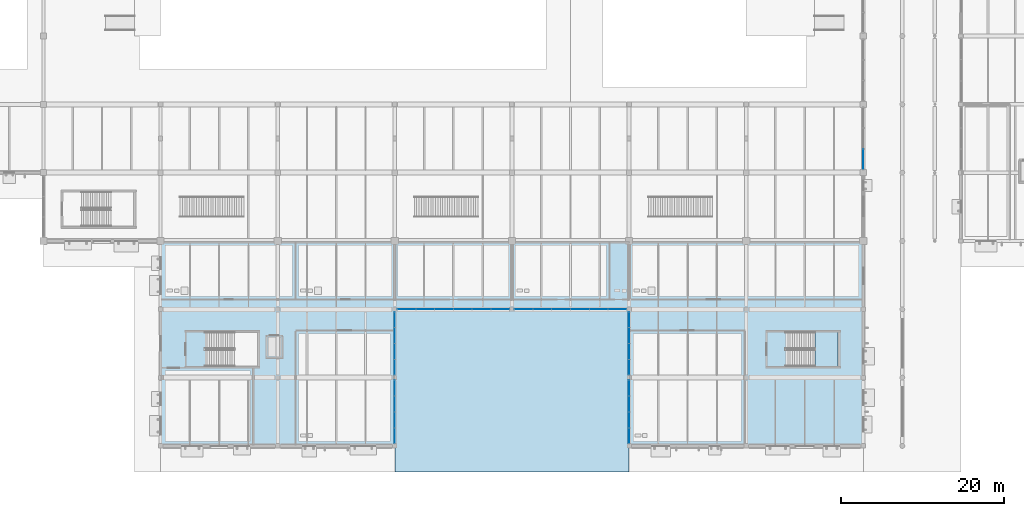
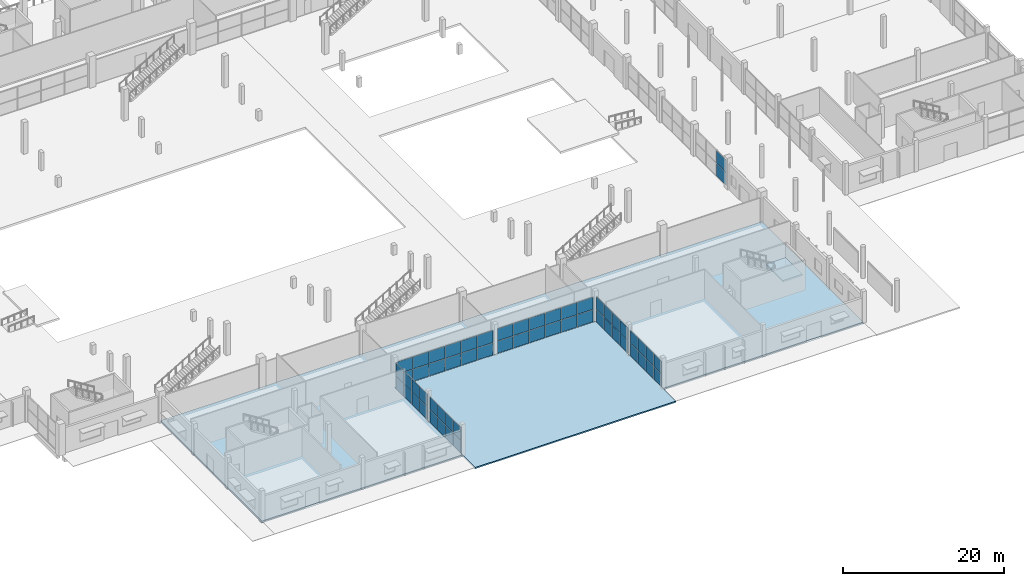
# One storey, part 83 of 130: 58 plates, 3 slabs, 8 elements without a shape of their own.
"""IFC4 building model written with IfcOpenShell, lengths in metres."""

from ifc_helpers import new_model, si_unit, direction, frame, origin, origin_2d, place, context, subcontext, project, spatial, polyline, rectangle, outline, extrude, material, layer, layer_set, type_object, element, aggregate, save


model = new_model("IFC4")

# Units and contexts
model_context = context("Model", 3, precision=1e-05, world=origin(), true_north=direction((0.0, 1.0)))
body_context = subcontext(model_context, "Body", "Model", "MODEL_VIEW")
ifc_project = project(units=[si_unit("LENGTHUNIT", "METRE"), si_unit("AREAUNIT", "SQUARE_METRE"), si_unit("VOLUMEUNIT", "CUBIC_METRE"), si_unit("PLANEANGLEUNIT", "RADIAN"), si_unit("MASSUNIT", "GRAM", prefix="KILO"), si_unit("THERMODYNAMICTEMPERATUREUNIT", "KELVIN")], contexts=[model_context])

# Site, building, storey
site_placement = place(None, origin())
site = spatial("IfcSite", under=ifc_project, at=site_placement, CompositionType="ELEMENT")
building_placement = place(site_placement, origin())
building = spatial("IfcBuilding", under=site, at=building_placement, Name="Nduvali Passage Aquatics Centre", CompositionType="ELEMENT")
storey_placement = place(building_placement, origin())
storey = spatial("IfcBuildingStorey", under=building, at=storey_placement, Name="L00", CompositionType="ELEMENT", Elevation=0.0)

# Curtain wall, plates
ifc_material_1 = material(Name="Aluminium EN AW-6063 T6", Category="aluminium")
curtain_wall_type_1 = type_object("IfcCurtainWallType", Name="ENV-CW-COUR", PredefinedType="NOTDEFINED", material=ifc_material_1)
curtain_wall_1_placement = place(storey_placement, origin())
curtain_wall_1 = element("IfcCurtainWall", 1, at=curtain_wall_1_placement, inside=storey, type_object=curtain_wall_type_1, Name="L00 Monsoon Courtyard Cloister CW 163", PredefinedType="NOTDEFINED")
ifc_material_2 = material(Name="Laminated solar-control low-E IGU")
ifc_layer_1 = layer(ifc_material_2, 0.028076171875, Name="Laminated solar-control low-E IGU")
ifc_layer_set_1 = layer_set([ifc_layer_1], Name="Laminated solar-control low-E IGU")
plate_type_1 = type_object("IfcPlateType", Name="ENV-PLT-GLZ28", PredefinedType="CURTAIN_PANEL", material=ifc_layer_set_1)
plate_1_placement = place(storey_placement, frame((69.84423828125, 16.800048828125, 0.06005859375), z_axis=(0.0, 0.0, 1.0), x_axis=(1.0, 0.0, 0.0)))
plate_1 = element("IfcPlate", 2, at=plate_1_placement, type_object=plate_type_1, Name="Monsoon Courtyard Cloister CW Glazed Panel B1-R1", PredefinedType="CURTAIN_PANEL", context=body_context, shape_type="SweptSolid", body=[
    extrude(rectangle(XDim=2.21826171875, YDim=0.028076171875, at=origin_2d()), origin(), (0.0, 0.0, 1.0), 1.826171875),
])
plate_2_placement = place(storey_placement, frame((69.84423828125, 16.800048828125, 1.9462890625), z_axis=(0.0, 0.0, 1.0), x_axis=(1.0, 0.0, 0.0)))
plate_2 = element("IfcPlate", 3, at=plate_2_placement, type_object=plate_type_1, Name="Monsoon Courtyard Cloister CW Glazed Panel B1-R2", PredefinedType="CURTAIN_PANEL", context=body_context, shape_type="SweptSolid", body=[
    extrude(rectangle(XDim=2.21826171875, YDim=0.028076171875, at=origin_2d()), origin(), (0.0, 0.0, 1.0), 1.826171875),
])
plate_3_placement = place(storey_placement, frame((72.137451171875, 16.800048828125, 0.06005859375), z_axis=(0.0, 0.0, 1.0), x_axis=(1.0, 0.0, 0.0)))
plate_3 = element("IfcPlate", 4, at=plate_3_placement, type_object=plate_type_1, Name="Monsoon Courtyard Cloister CW Glazed Panel B2-R1", PredefinedType="CURTAIN_PANEL", context=body_context, shape_type="SweptSolid", body=[
    extrude(rectangle(XDim=2.248291015625, YDim=0.028076171875, at=origin_2d()), origin(), (0.0, 0.0, 1.0), 1.826171875),
])
plate_4_placement = place(storey_placement, frame((72.137451171875, 16.800048828125, 1.9462890625), z_axis=(0.0, 0.0, 1.0), x_axis=(1.0, 0.0, 0.0)))
plate_4 = element("IfcPlate", 5, at=plate_4_placement, type_object=plate_type_1, Name="Monsoon Courtyard Cloister CW Glazed Panel B2-R2", PredefinedType="CURTAIN_PANEL", context=body_context, shape_type="SweptSolid", body=[
    extrude(rectangle(XDim=2.248291015625, YDim=0.028076171875, at=origin_2d()), origin(), (0.0, 0.0, 1.0), 1.826171875),
])
plate_5_placement = place(storey_placement, frame((74.44580078125, 16.800048828125, 0.06005859375), z_axis=(0.0, 0.0, 1.0), x_axis=(1.0, 0.0, 0.0)))
plate_5 = element("IfcPlate", 6, at=plate_5_placement, type_object=plate_type_1, Name="Monsoon Courtyard Cloister CW Glazed Panel B3-R1", PredefinedType="CURTAIN_PANEL", context=body_context, shape_type="SweptSolid", body=[
    extrude(rectangle(XDim=2.248291015625, YDim=0.028076171875, at=origin_2d()), origin(), (0.0, 0.0, 1.0), 1.826171875),
])
plate_6_placement = place(storey_placement, frame((74.44580078125, 16.800048828125, 1.9462890625), z_axis=(0.0, 0.0, 1.0), x_axis=(1.0, 0.0, 0.0)))
plate_6 = element("IfcPlate", 7, at=plate_6_placement, type_object=plate_type_1, Name="Monsoon Courtyard Cloister CW Glazed Panel B3-R2", PredefinedType="CURTAIN_PANEL", context=body_context, shape_type="SweptSolid", body=[
    extrude(rectangle(XDim=2.248291015625, YDim=0.028076171875, at=origin_2d()), origin(), (0.0, 0.0, 1.0), 1.826171875),
])
plate_7_placement = place(storey_placement, frame((76.754150390625, 16.800048828125, 0.06005859375), z_axis=(0.0, 0.0, 1.0), x_axis=(1.0, 0.0, 0.0)))
plate_7 = element("IfcPlate", 8, at=plate_7_placement, type_object=plate_type_1, Name="Monsoon Courtyard Cloister CW Glazed Panel B4-R1", PredefinedType="CURTAIN_PANEL", context=body_context, shape_type="SweptSolid", body=[
    extrude(rectangle(XDim=2.248291015625, YDim=0.028076171875, at=origin_2d()), origin(), (0.0, 0.0, 1.0), 1.826171875),
])
plate_8_placement = place(storey_placement, frame((76.754150390625, 16.800048828125, 1.9462890625), z_axis=(0.0, 0.0, 1.0), x_axis=(1.0, 0.0, 0.0)))
plate_8 = element("IfcPlate", 9, at=plate_8_placement, type_object=plate_type_1, Name="Monsoon Courtyard Cloister CW Glazed Panel B4-R2", PredefinedType="CURTAIN_PANEL", context=body_context, shape_type="SweptSolid", body=[
    extrude(rectangle(XDim=2.248291015625, YDim=0.028076171875, at=origin_2d()), origin(), (0.0, 0.0, 1.0), 1.826171875),
])
plate_9_placement = place(storey_placement, frame((79.0625, 16.800048828125, 0.06005859375), z_axis=(0.0, 0.0, 1.0), x_axis=(1.0, 0.0, 0.0)))
plate_9 = element("IfcPlate", 10, at=plate_9_placement, type_object=plate_type_1, Name="Monsoon Courtyard Cloister CW Glazed Panel B5-R1", PredefinedType="CURTAIN_PANEL", context=body_context, shape_type="SweptSolid", body=[
    extrude(rectangle(XDim=2.248291015625, YDim=0.028076171875, at=origin_2d()), origin(), (0.0, 0.0, 1.0), 1.826171875),
])
plate_10_placement = place(storey_placement, frame((79.0625, 16.800048828125, 1.9462890625), z_axis=(0.0, 0.0, 1.0), x_axis=(1.0, 0.0, 0.0)))
plate_10 = element("IfcPlate", 11, at=plate_10_placement, type_object=plate_type_1, Name="Monsoon Courtyard Cloister CW Glazed Panel B5-R2", PredefinedType="CURTAIN_PANEL", context=body_context, shape_type="SweptSolid", body=[
    extrude(rectangle(XDim=2.248291015625, YDim=0.028076171875, at=origin_2d()), origin(), (0.0, 0.0, 1.0), 1.826171875),
])
plate_11_placement = place(storey_placement, frame((81.355712890625, 16.800048828125, 0.06005859375), z_axis=(0.0, 0.0, 1.0), x_axis=(1.0, 0.0, 0.0)))
plate_11 = element("IfcPlate", 12, at=plate_11_placement, type_object=plate_type_1, Name="Monsoon Courtyard Cloister CW Glazed Panel B6-R1", PredefinedType="CURTAIN_PANEL", context=body_context, shape_type="SweptSolid", body=[
    extrude(rectangle(XDim=2.21826171875, YDim=0.028076171875, at=origin_2d()), origin(), (0.0, 0.0, 1.0), 1.826171875),
])
plate_12_placement = place(storey_placement, frame((81.355712890625, 16.800048828125, 1.9462890625), z_axis=(0.0, 0.0, 1.0), x_axis=(1.0, 0.0, 0.0)))
plate_12 = element("IfcPlate", 13, at=plate_12_placement, type_object=plate_type_1, Name="Monsoon Courtyard Cloister CW Glazed Panel B6-R2", PredefinedType="CURTAIN_PANEL", context=body_context, shape_type="SweptSolid", body=[
    extrude(rectangle(XDim=2.21826171875, YDim=0.028076171875, at=origin_2d()), origin(), (0.0, 0.0, 1.0), 1.826171875),
])
aggregate(curtain_wall_1, [plate_1, plate_2, plate_3, plate_4, plate_5, plate_6, plate_7, plate_8, plate_9, plate_10, plate_11, plate_12])

curtain_wall_2_placement = place(storey_placement, origin())
curtain_wall_2 = element("IfcCurtainWall", 14, at=curtain_wall_2_placement, inside=storey, type_object=curtain_wall_type_1, Name="L00 Monsoon Courtyard Cloister CW 165", PredefinedType="NOTDEFINED")
plate_13_placement = place(storey_placement, frame((84.244140625, 16.800048828125, 0.06005859375), z_axis=(0.0, 0.0, 1.0), x_axis=(1.0, 0.0, 0.0)))
plate_13 = element("IfcPlate", 15, at=plate_13_placement, type_object=plate_type_1, Name="Monsoon Courtyard Cloister CW Glazed Panel B1-R1", PredefinedType="CURTAIN_PANEL", context=body_context, shape_type="SweptSolid", body=[
    extrude(rectangle(XDim=2.21826171875, YDim=0.028076171875, at=origin_2d()), origin(), (0.0, 0.0, 1.0), 1.826171875),
])
plate_14_placement = place(storey_placement, frame((84.244140625, 16.800048828125, 1.9462890625), z_axis=(0.0, 0.0, 1.0), x_axis=(1.0, 0.0, 0.0)))
plate_14 = element("IfcPlate", 16, at=plate_14_placement, type_object=plate_type_1, Name="Monsoon Courtyard Cloister CW Glazed Panel B1-R2", PredefinedType="CURTAIN_PANEL", context=body_context, shape_type="SweptSolid", body=[
    extrude(rectangle(XDim=2.21826171875, YDim=0.028076171875, at=origin_2d()), origin(), (0.0, 0.0, 1.0), 1.826171875),
])
plate_15_placement = place(storey_placement, frame((86.53759765625, 16.800048828125, 0.06005859375), z_axis=(0.0, 0.0, 1.0), x_axis=(1.0, 0.0, 0.0)))
plate_15 = element("IfcPlate", 17, at=plate_15_placement, type_object=plate_type_1, Name="Monsoon Courtyard Cloister CW Glazed Panel B2-R1", PredefinedType="CURTAIN_PANEL", context=body_context, shape_type="SweptSolid", body=[
    extrude(rectangle(XDim=2.248291015625, YDim=0.028076171875, at=origin_2d()), origin(), (0.0, 0.0, 1.0), 1.826171875),
])
plate_16_placement = place(storey_placement, frame((86.53759765625, 16.800048828125, 1.9462890625), z_axis=(0.0, 0.0, 1.0), x_axis=(1.0, 0.0, 0.0)))
plate_16 = element("IfcPlate", 18, at=plate_16_placement, type_object=plate_type_1, Name="Monsoon Courtyard Cloister CW Glazed Panel B2-R2", PredefinedType="CURTAIN_PANEL", context=body_context, shape_type="SweptSolid", body=[
    extrude(rectangle(XDim=2.248291015625, YDim=0.028076171875, at=origin_2d()), origin(), (0.0, 0.0, 1.0), 1.826171875),
])
plate_17_placement = place(storey_placement, frame((88.845703125, 16.800048828125, 0.06005859375), z_axis=(0.0, 0.0, 1.0), x_axis=(1.0, 0.0, 0.0)))
plate_17 = element("IfcPlate", 19, at=plate_17_placement, type_object=plate_type_1, Name="Monsoon Courtyard Cloister CW Glazed Panel B3-R1", PredefinedType="CURTAIN_PANEL", context=body_context, shape_type="SweptSolid", body=[
    extrude(rectangle(XDim=2.248291015625, YDim=0.028076171875, at=origin_2d()), origin(), (0.0, 0.0, 1.0), 1.826171875),
])
plate_18_placement = place(storey_placement, frame((88.845703125, 16.800048828125, 1.9462890625), z_axis=(0.0, 0.0, 1.0), x_axis=(1.0, 0.0, 0.0)))
plate_18 = element("IfcPlate", 20, at=plate_18_placement, type_object=plate_type_1, Name="Monsoon Courtyard Cloister CW Glazed Panel B3-R2", PredefinedType="CURTAIN_PANEL", context=body_context, shape_type="SweptSolid", body=[
    extrude(rectangle(XDim=2.248291015625, YDim=0.028076171875, at=origin_2d()), origin(), (0.0, 0.0, 1.0), 1.826171875),
])
plate_19_placement = place(storey_placement, frame((91.154296875, 16.800048828125, 0.06005859375), z_axis=(0.0, 0.0, 1.0), x_axis=(1.0, 0.0, 0.0)))
plate_19 = element("IfcPlate", 21, at=plate_19_placement, type_object=plate_type_1, Name="Monsoon Courtyard Cloister CW Glazed Panel B4-R1", PredefinedType="CURTAIN_PANEL", context=body_context, shape_type="SweptSolid", body=[
    extrude(rectangle(XDim=2.248291015625, YDim=0.028076171875, at=origin_2d()), origin(), (0.0, 0.0, 1.0), 1.826171875),
])
plate_20_placement = place(storey_placement, frame((91.154296875, 16.800048828125, 1.9462890625), z_axis=(0.0, 0.0, 1.0), x_axis=(1.0, 0.0, 0.0)))
plate_20 = element("IfcPlate", 22, at=plate_20_placement, type_object=plate_type_1, Name="Monsoon Courtyard Cloister CW Glazed Panel B4-R2", PredefinedType="CURTAIN_PANEL", context=body_context, shape_type="SweptSolid", body=[
    extrude(rectangle(XDim=2.248291015625, YDim=0.028076171875, at=origin_2d()), origin(), (0.0, 0.0, 1.0), 1.826171875),
])
plate_21_placement = place(storey_placement, frame((93.46240234375, 16.800048828125, 0.06005859375), z_axis=(0.0, 0.0, 1.0), x_axis=(1.0, 0.0, 0.0)))
plate_21 = element("IfcPlate", 23, at=plate_21_placement, type_object=plate_type_1, Name="Monsoon Courtyard Cloister CW Glazed Panel B5-R1", PredefinedType="CURTAIN_PANEL", context=body_context, shape_type="SweptSolid", body=[
    extrude(rectangle(XDim=2.248291015625, YDim=0.028076171875, at=origin_2d()), origin(), (0.0, 0.0, 1.0), 1.826171875),
])
plate_22_placement = place(storey_placement, frame((93.46240234375, 16.800048828125, 1.9462890625), z_axis=(0.0, 0.0, 1.0), x_axis=(1.0, 0.0, 0.0)))
plate_22 = element("IfcPlate", 24, at=plate_22_placement, type_object=plate_type_1, Name="Monsoon Courtyard Cloister CW Glazed Panel B5-R2", PredefinedType="CURTAIN_PANEL", context=body_context, shape_type="SweptSolid", body=[
    extrude(rectangle(XDim=2.248291015625, YDim=0.028076171875, at=origin_2d()), origin(), (0.0, 0.0, 1.0), 1.826171875),
])
plate_23_placement = place(storey_placement, frame((95.755859375, 16.800048828125, 0.06005859375), z_axis=(0.0, 0.0, 1.0), x_axis=(1.0, 0.0, 0.0)))
plate_23 = element("IfcPlate", 25, at=plate_23_placement, type_object=plate_type_1, Name="Monsoon Courtyard Cloister CW Glazed Panel B6-R1", PredefinedType="CURTAIN_PANEL", context=body_context, shape_type="SweptSolid", body=[
    extrude(rectangle(XDim=2.21826171875, YDim=0.028076171875, at=origin_2d()), origin(), (0.0, 0.0, 1.0), 1.826171875),
])
plate_24_placement = place(storey_placement, frame((95.755859375, 16.800048828125, 1.9462890625), z_axis=(0.0, 0.0, 1.0), x_axis=(1.0, 0.0, 0.0)))
plate_24 = element("IfcPlate", 26, at=plate_24_placement, type_object=plate_type_1, Name="Monsoon Courtyard Cloister CW Glazed Panel B6-R2", PredefinedType="CURTAIN_PANEL", context=body_context, shape_type="SweptSolid", body=[
    extrude(rectangle(XDim=2.21826171875, YDim=0.028076171875, at=origin_2d()), origin(), (0.0, 0.0, 1.0), 1.826171875),
])
aggregate(curtain_wall_2, [plate_13, plate_14, plate_15, plate_16, plate_17, plate_18, plate_19, plate_20, plate_21, plate_22, plate_23, plate_24])

curtain_wall_3_placement = place(storey_placement, origin())
curtain_wall_3 = element("IfcCurtainWall", 27, at=curtain_wall_3_placement, inside=storey, type_object=curtain_wall_type_1, Name="L00 Courtyard West Cloister CW 167", PredefinedType="NOTDEFINED")
plate_25_placement = place(storey_placement, frame((68.39990234375, 1.271240234375, 0.06005859375), z_axis=(0.0, 0.0, 1.0), x_axis=(0.0, 1.0, 0.0)))
plate_25 = element("IfcPlate", 28, at=plate_25_placement, type_object=plate_type_1, Name="Courtyard West Cloister CW Glazed Panel B1-R1", PredefinedType="CURTAIN_PANEL", context=body_context, shape_type="SweptSolid", body=[
    extrude(rectangle(XDim=1.87255859375, YDim=0.028076171875, at=origin_2d()), origin(), (0.0, 0.0, 1.0), 1.898193359375),
])
plate_26_placement = place(storey_placement, frame((68.39990234375, 1.271240234375, 2.01806640625), z_axis=(0.0, 0.0, 1.0), x_axis=(0.0, 1.0, 0.0)))
plate_26 = element("IfcPlate", 29, at=plate_26_placement, type_object=plate_type_1, Name="Courtyard West Cloister CW Glazed Panel B1-R2", PredefinedType="CURTAIN_PANEL", context=body_context, shape_type="SweptSolid", body=[
    extrude(rectangle(XDim=1.87255859375, YDim=0.028076171875, at=origin_2d()), origin(), (0.0, 0.0, 1.0), 1.898193359375),
])
plate_27_placement = place(storey_placement, frame((68.39990234375, 3.21875, 0.06005859375), z_axis=(0.0, 0.0, 1.0), x_axis=(0.0, 1.0, 0.0)))
plate_27 = element("IfcPlate", 30, at=plate_27_placement, type_object=plate_type_1, Name="Courtyard West Cloister CW Glazed Panel B2-R1", PredefinedType="CURTAIN_PANEL", context=body_context, shape_type="SweptSolid", body=[
    extrude(rectangle(XDim=1.902587890625, YDim=0.028076171875, at=origin_2d()), origin(), (0.0, 0.0, 1.0), 1.898193359375),
])
plate_28_placement = place(storey_placement, frame((68.39990234375, 3.21875, 2.01806640625), z_axis=(0.0, 0.0, 1.0), x_axis=(0.0, 1.0, 0.0)))
plate_28 = element("IfcPlate", 31, at=plate_28_placement, type_object=plate_type_1, Name="Courtyard West Cloister CW Glazed Panel B2-R2", PredefinedType="CURTAIN_PANEL", context=body_context, shape_type="SweptSolid", body=[
    extrude(rectangle(XDim=1.902587890625, YDim=0.028076171875, at=origin_2d()), origin(), (0.0, 0.0, 1.0), 1.898193359375),
])
plate_29_placement = place(storey_placement, frame((68.39990234375, 5.18115234375, 0.06005859375), z_axis=(0.0, 0.0, 1.0), x_axis=(0.0, 1.0, 0.0)))
plate_29 = element("IfcPlate", 32, at=plate_29_placement, type_object=plate_type_1, Name="Courtyard West Cloister CW Glazed Panel B3-R1", PredefinedType="CURTAIN_PANEL", context=body_context, shape_type="SweptSolid", body=[
    extrude(rectangle(XDim=1.902587890625, YDim=0.028076171875, at=origin_2d()), origin(), (0.0, 0.0, 1.0), 1.898193359375),
])
plate_30_placement = place(storey_placement, frame((68.39990234375, 5.18115234375, 2.01806640625), z_axis=(0.0, 0.0, 1.0), x_axis=(0.0, 1.0, 0.0)))
plate_30 = element("IfcPlate", 33, at=plate_30_placement, type_object=plate_type_1, Name="Courtyard West Cloister CW Glazed Panel B3-R2", PredefinedType="CURTAIN_PANEL", context=body_context, shape_type="SweptSolid", body=[
    extrude(rectangle(XDim=1.902587890625, YDim=0.028076171875, at=origin_2d()), origin(), (0.0, 0.0, 1.0), 1.898193359375),
])
plate_31_placement = place(storey_placement, frame((68.39990234375, 7.12890625, 0.06005859375), z_axis=(0.0, 0.0, 1.0), x_axis=(0.0, 1.0, 0.0)))
plate_31 = element("IfcPlate", 34, at=plate_31_placement, type_object=plate_type_1, Name="Courtyard West Cloister CW Glazed Panel B4-R1", PredefinedType="CURTAIN_PANEL", context=body_context, shape_type="SweptSolid", body=[
    extrude(rectangle(XDim=1.87255859375, YDim=0.028076171875, at=origin_2d()), origin(), (0.0, 0.0, 1.0), 1.898193359375),
])
plate_32_placement = place(storey_placement, frame((68.39990234375, 7.12890625, 2.01806640625), z_axis=(0.0, 0.0, 1.0), x_axis=(0.0, 1.0, 0.0)))
plate_32 = element("IfcPlate", 35, at=plate_32_placement, type_object=plate_type_1, Name="Courtyard West Cloister CW Glazed Panel B4-R2", PredefinedType="CURTAIN_PANEL", context=body_context, shape_type="SweptSolid", body=[
    extrude(rectangle(XDim=1.87255859375, YDim=0.028076171875, at=origin_2d()), origin(), (0.0, 0.0, 1.0), 1.898193359375),
])
aggregate(curtain_wall_3, [plate_25, plate_26, plate_27, plate_28, plate_29, plate_30, plate_31, plate_32])

curtain_wall_4_placement = place(storey_placement, origin())
curtain_wall_4 = element("IfcCurtainWall", 36, at=curtain_wall_4_placement, inside=storey, type_object=curtain_wall_type_1, Name="L00 Courtyard East Cloister CW 168", PredefinedType="NOTDEFINED")
plate_33_placement = place(storey_placement, frame((97.199951171875, 1.271240234375, 0.06005859375), z_axis=(0.0, 0.0, 1.0), x_axis=(0.0, 1.0, 0.0)))
plate_33 = element("IfcPlate", 37, at=plate_33_placement, type_object=plate_type_1, Name="Courtyard East Cloister CW Glazed Panel B1-R1", PredefinedType="CURTAIN_PANEL", context=body_context, shape_type="SweptSolid", body=[
    extrude(rectangle(XDim=1.87255859375, YDim=0.028076171875, at=origin_2d()), origin(), (0.0, 0.0, 1.0), 1.898193359375),
])
plate_34_placement = place(storey_placement, frame((97.199951171875, 1.271240234375, 2.01806640625), z_axis=(0.0, 0.0, 1.0), x_axis=(0.0, 1.0, 0.0)))
plate_34 = element("IfcPlate", 38, at=plate_34_placement, type_object=plate_type_1, Name="Courtyard East Cloister CW Glazed Panel B1-R2", PredefinedType="CURTAIN_PANEL", context=body_context, shape_type="SweptSolid", body=[
    extrude(rectangle(XDim=1.87255859375, YDim=0.028076171875, at=origin_2d()), origin(), (0.0, 0.0, 1.0), 1.898193359375),
])
plate_35_placement = place(storey_placement, frame((97.199951171875, 3.21875, 0.06005859375), z_axis=(0.0, 0.0, 1.0), x_axis=(0.0, 1.0, 0.0)))
plate_35 = element("IfcPlate", 39, at=plate_35_placement, type_object=plate_type_1, Name="Courtyard East Cloister CW Glazed Panel B2-R1", PredefinedType="CURTAIN_PANEL", context=body_context, shape_type="SweptSolid", body=[
    extrude(rectangle(XDim=1.902587890625, YDim=0.028076171875, at=origin_2d()), origin(), (0.0, 0.0, 1.0), 1.898193359375),
])
plate_36_placement = place(storey_placement, frame((97.199951171875, 3.21875, 2.01806640625), z_axis=(0.0, 0.0, 1.0), x_axis=(0.0, 1.0, 0.0)))
plate_36 = element("IfcPlate", 40, at=plate_36_placement, type_object=plate_type_1, Name="Courtyard East Cloister CW Glazed Panel B2-R2", PredefinedType="CURTAIN_PANEL", context=body_context, shape_type="SweptSolid", body=[
    extrude(rectangle(XDim=1.902587890625, YDim=0.028076171875, at=origin_2d()), origin(), (0.0, 0.0, 1.0), 1.898193359375),
])
plate_37_placement = place(storey_placement, frame((97.199951171875, 5.18115234375, 0.06005859375), z_axis=(0.0, 0.0, 1.0), x_axis=(0.0, 1.0, 0.0)))
plate_37 = element("IfcPlate", 41, at=plate_37_placement, type_object=plate_type_1, Name="Courtyard East Cloister CW Glazed Panel B3-R1", PredefinedType="CURTAIN_PANEL", context=body_context, shape_type="SweptSolid", body=[
    extrude(rectangle(XDim=1.902587890625, YDim=0.028076171875, at=origin_2d()), origin(), (0.0, 0.0, 1.0), 1.898193359375),
])
plate_38_placement = place(storey_placement, frame((97.199951171875, 5.18115234375, 2.01806640625), z_axis=(0.0, 0.0, 1.0), x_axis=(0.0, 1.0, 0.0)))
plate_38 = element("IfcPlate", 42, at=plate_38_placement, type_object=plate_type_1, Name="Courtyard East Cloister CW Glazed Panel B3-R2", PredefinedType="CURTAIN_PANEL", context=body_context, shape_type="SweptSolid", body=[
    extrude(rectangle(XDim=1.902587890625, YDim=0.028076171875, at=origin_2d()), origin(), (0.0, 0.0, 1.0), 1.898193359375),
])
plate_39_placement = place(storey_placement, frame((97.199951171875, 7.12890625, 0.06005859375), z_axis=(0.0, 0.0, 1.0), x_axis=(0.0, 1.0, 0.0)))
plate_39 = element("IfcPlate", 43, at=plate_39_placement, type_object=plate_type_1, Name="Courtyard East Cloister CW Glazed Panel B4-R1", PredefinedType="CURTAIN_PANEL", context=body_context, shape_type="SweptSolid", body=[
    extrude(rectangle(XDim=1.87255859375, YDim=0.028076171875, at=origin_2d()), origin(), (0.0, 0.0, 1.0), 1.898193359375),
])
plate_40_placement = place(storey_placement, frame((97.199951171875, 7.12890625, 2.01806640625), z_axis=(0.0, 0.0, 1.0), x_axis=(0.0, 1.0, 0.0)))
plate_40 = element("IfcPlate", 44, at=plate_40_placement, type_object=plate_type_1, Name="Courtyard East Cloister CW Glazed Panel B4-R2", PredefinedType="CURTAIN_PANEL", context=body_context, shape_type="SweptSolid", body=[
    extrude(rectangle(XDim=1.87255859375, YDim=0.028076171875, at=origin_2d()), origin(), (0.0, 0.0, 1.0), 1.898193359375),
])
aggregate(curtain_wall_4, [plate_33, plate_34, plate_35, plate_36, plate_37, plate_38, plate_39, plate_40])

curtain_wall_5_placement = place(storey_placement, origin())
curtain_wall_5 = element("IfcCurtainWall", 45, at=curtain_wall_5_placement, inside=storey, type_object=curtain_wall_type_1, Name="L00 Courtyard West Cloister CW 171", PredefinedType="NOTDEFINED")
plate_41_placement = place(storey_placement, frame((68.39990234375, 9.67138671875, 0.06005859375), z_axis=(0.0, 0.0, 1.0), x_axis=(0.0, 1.0, 0.0)))
plate_41 = element("IfcPlate", 46, at=plate_41_placement, type_object=plate_type_1, Name="Courtyard West Cloister CW Glazed Panel B1-R1", PredefinedType="CURTAIN_PANEL", context=body_context, shape_type="SweptSolid", body=[
    extrude(rectangle(XDim=1.87255859375, YDim=0.028076171875, at=origin_2d()), origin(), (0.0, 0.0, 1.0), 1.898193359375),
])
plate_42_placement = place(storey_placement, frame((68.39990234375, 9.67138671875, 2.01806640625), z_axis=(0.0, 0.0, 1.0), x_axis=(0.0, 1.0, 0.0)))
plate_42 = element("IfcPlate", 47, at=plate_42_placement, type_object=plate_type_1, Name="Courtyard West Cloister CW Glazed Panel B1-R2", PredefinedType="CURTAIN_PANEL", context=body_context, shape_type="SweptSolid", body=[
    extrude(rectangle(XDim=1.87255859375, YDim=0.028076171875, at=origin_2d()), origin(), (0.0, 0.0, 1.0), 1.898193359375),
])
plate_43_placement = place(storey_placement, frame((68.39990234375, 11.618896484375, 0.06005859375), z_axis=(0.0, 0.0, 1.0), x_axis=(0.0, 1.0, 0.0)))
plate_43 = element("IfcPlate", 48, at=plate_43_placement, type_object=plate_type_1, Name="Courtyard West Cloister CW Glazed Panel B2-R1", PredefinedType="CURTAIN_PANEL", context=body_context, shape_type="SweptSolid", body=[
    extrude(rectangle(XDim=1.902587890625, YDim=0.028076171875, at=origin_2d()), origin(), (0.0, 0.0, 1.0), 1.898193359375),
])
plate_44_placement = place(storey_placement, frame((68.39990234375, 11.618896484375, 2.01806640625), z_axis=(0.0, 0.0, 1.0), x_axis=(0.0, 1.0, 0.0)))
plate_44 = element("IfcPlate", 49, at=plate_44_placement, type_object=plate_type_1, Name="Courtyard West Cloister CW Glazed Panel B2-R2", PredefinedType="CURTAIN_PANEL", context=body_context, shape_type="SweptSolid", body=[
    extrude(rectangle(XDim=1.902587890625, YDim=0.028076171875, at=origin_2d()), origin(), (0.0, 0.0, 1.0), 1.898193359375),
])
plate_45_placement = place(storey_placement, frame((68.39990234375, 13.581298828125, 0.06005859375), z_axis=(0.0, 0.0, 1.0), x_axis=(0.0, 1.0, 0.0)))
plate_45 = element("IfcPlate", 50, at=plate_45_placement, type_object=plate_type_1, Name="Courtyard West Cloister CW Glazed Panel B3-R1", PredefinedType="CURTAIN_PANEL", context=body_context, shape_type="SweptSolid", body=[
    extrude(rectangle(XDim=1.902587890625, YDim=0.028076171875, at=origin_2d()), origin(), (0.0, 0.0, 1.0), 1.898193359375),
])
plate_46_placement = place(storey_placement, frame((68.39990234375, 13.581298828125, 2.01806640625), z_axis=(0.0, 0.0, 1.0), x_axis=(0.0, 1.0, 0.0)))
plate_46 = element("IfcPlate", 51, at=plate_46_placement, type_object=plate_type_1, Name="Courtyard West Cloister CW Glazed Panel B3-R2", PredefinedType="CURTAIN_PANEL", context=body_context, shape_type="SweptSolid", body=[
    extrude(rectangle(XDim=1.902587890625, YDim=0.028076171875, at=origin_2d()), origin(), (0.0, 0.0, 1.0), 1.898193359375),
])
plate_47_placement = place(storey_placement, frame((68.39990234375, 15.52880859375, 0.06005859375), z_axis=(0.0, 0.0, 1.0), x_axis=(0.0, 1.0, 0.0)))
plate_47 = element("IfcPlate", 52, at=plate_47_placement, type_object=plate_type_1, Name="Courtyard West Cloister CW Glazed Panel B4-R1", PredefinedType="CURTAIN_PANEL", context=body_context, shape_type="SweptSolid", body=[
    extrude(rectangle(XDim=1.87255859375, YDim=0.028076171875, at=origin_2d()), origin(), (0.0, 0.0, 1.0), 1.898193359375),
])
plate_48_placement = place(storey_placement, frame((68.39990234375, 15.52880859375, 2.01806640625), z_axis=(0.0, 0.0, 1.0), x_axis=(0.0, 1.0, 0.0)))
plate_48 = element("IfcPlate", 53, at=plate_48_placement, type_object=plate_type_1, Name="Courtyard West Cloister CW Glazed Panel B4-R2", PredefinedType="CURTAIN_PANEL", context=body_context, shape_type="SweptSolid", body=[
    extrude(rectangle(XDim=1.87255859375, YDim=0.028076171875, at=origin_2d()), origin(), (0.0, 0.0, 1.0), 1.898193359375),
])
aggregate(curtain_wall_5, [plate_41, plate_42, plate_43, plate_44, plate_45, plate_46, plate_47, plate_48])

curtain_wall_6_placement = place(storey_placement, origin())
curtain_wall_6 = element("IfcCurtainWall", 54, at=curtain_wall_6_placement, inside=storey, type_object=curtain_wall_type_1, Name="L00 Courtyard East Cloister CW 172", PredefinedType="NOTDEFINED")
plate_49_placement = place(storey_placement, frame((97.199951171875, 9.67138671875, 0.06005859375), z_axis=(0.0, 0.0, 1.0), x_axis=(0.0, 1.0, 0.0)))
plate_49 = element("IfcPlate", 55, at=plate_49_placement, type_object=plate_type_1, Name="Courtyard East Cloister CW Glazed Panel B1-R1", PredefinedType="CURTAIN_PANEL", context=body_context, shape_type="SweptSolid", body=[
    extrude(rectangle(XDim=1.87255859375, YDim=0.028076171875, at=origin_2d()), origin(), (0.0, 0.0, 1.0), 1.898193359375),
])
plate_50_placement = place(storey_placement, frame((97.199951171875, 9.67138671875, 2.01806640625), z_axis=(0.0, 0.0, 1.0), x_axis=(0.0, 1.0, 0.0)))
plate_50 = element("IfcPlate", 56, at=plate_50_placement, type_object=plate_type_1, Name="Courtyard East Cloister CW Glazed Panel B1-R2", PredefinedType="CURTAIN_PANEL", context=body_context, shape_type="SweptSolid", body=[
    extrude(rectangle(XDim=1.87255859375, YDim=0.028076171875, at=origin_2d()), origin(), (0.0, 0.0, 1.0), 1.898193359375),
])
plate_51_placement = place(storey_placement, frame((97.199951171875, 11.618896484375, 0.06005859375), z_axis=(0.0, 0.0, 1.0), x_axis=(0.0, 1.0, 0.0)))
plate_51 = element("IfcPlate", 57, at=plate_51_placement, type_object=plate_type_1, Name="Courtyard East Cloister CW Glazed Panel B2-R1", PredefinedType="CURTAIN_PANEL", context=body_context, shape_type="SweptSolid", body=[
    extrude(rectangle(XDim=1.902587890625, YDim=0.028076171875, at=origin_2d()), origin(), (0.0, 0.0, 1.0), 1.898193359375),
])
plate_52_placement = place(storey_placement, frame((97.199951171875, 11.618896484375, 2.01806640625), z_axis=(0.0, 0.0, 1.0), x_axis=(0.0, 1.0, 0.0)))
plate_52 = element("IfcPlate", 58, at=plate_52_placement, type_object=plate_type_1, Name="Courtyard East Cloister CW Glazed Panel B2-R2", PredefinedType="CURTAIN_PANEL", context=body_context, shape_type="SweptSolid", body=[
    extrude(rectangle(XDim=1.902587890625, YDim=0.028076171875, at=origin_2d()), origin(), (0.0, 0.0, 1.0), 1.898193359375),
])
plate_53_placement = place(storey_placement, frame((97.199951171875, 13.581298828125, 0.06005859375), z_axis=(0.0, 0.0, 1.0), x_axis=(0.0, 1.0, 0.0)))
plate_53 = element("IfcPlate", 59, at=plate_53_placement, type_object=plate_type_1, Name="Courtyard East Cloister CW Glazed Panel B3-R1", PredefinedType="CURTAIN_PANEL", context=body_context, shape_type="SweptSolid", body=[
    extrude(rectangle(XDim=1.902587890625, YDim=0.028076171875, at=origin_2d()), origin(), (0.0, 0.0, 1.0), 1.898193359375),
])
plate_54_placement = place(storey_placement, frame((97.199951171875, 13.581298828125, 2.01806640625), z_axis=(0.0, 0.0, 1.0), x_axis=(0.0, 1.0, 0.0)))
plate_54 = element("IfcPlate", 60, at=plate_54_placement, type_object=plate_type_1, Name="Courtyard East Cloister CW Glazed Panel B3-R2", PredefinedType="CURTAIN_PANEL", context=body_context, shape_type="SweptSolid", body=[
    extrude(rectangle(XDim=1.902587890625, YDim=0.028076171875, at=origin_2d()), origin(), (0.0, 0.0, 1.0), 1.898193359375),
])
plate_55_placement = place(storey_placement, frame((97.199951171875, 15.52880859375, 0.06005859375), z_axis=(0.0, 0.0, 1.0), x_axis=(0.0, 1.0, 0.0)))
plate_55 = element("IfcPlate", 61, at=plate_55_placement, type_object=plate_type_1, Name="Courtyard East Cloister CW Glazed Panel B4-R1", PredefinedType="CURTAIN_PANEL", context=body_context, shape_type="SweptSolid", body=[
    extrude(rectangle(XDim=1.87255859375, YDim=0.028076171875, at=origin_2d()), origin(), (0.0, 0.0, 1.0), 1.898193359375),
])
plate_56_placement = place(storey_placement, frame((97.199951171875, 15.52880859375, 2.01806640625), z_axis=(0.0, 0.0, 1.0), x_axis=(0.0, 1.0, 0.0)))
plate_56 = element("IfcPlate", 62, at=plate_56_placement, type_object=plate_type_1, Name="Courtyard East Cloister CW Glazed Panel B4-R2", PredefinedType="CURTAIN_PANEL", context=body_context, shape_type="SweptSolid", body=[
    extrude(rectangle(XDim=1.87255859375, YDim=0.028076171875, at=origin_2d()), origin(), (0.0, 0.0, 1.0), 1.898193359375),
])
aggregate(curtain_wall_6, [plate_49, plate_50, plate_51, plate_52, plate_53, plate_54, plate_55, plate_56])

curtain_wall_type_2 = type_object("IfcCurtainWallType", Name="ENV-CW-HALL", PredefinedType="NOTDEFINED", material=ifc_material_1)
curtain_wall_7_placement = place(storey_placement, origin())
curtain_wall_7 = element("IfcCurtainWall", 63, at=curtain_wall_7_placement, inside=storey, type_object=curtain_wall_type_2, Name="L00 East Passage Pool Hall Lower Glazing 018", PredefinedType="NOTDEFINED")
ifc_layer_2 = layer(ifc_material_2, 0.031982421875, Name="Laminated solar-control low-E IGU")
ifc_layer_set_2 = layer_set([ifc_layer_2], Name="Laminated solar-control low-E IGU")
plate_type_2 = type_object("IfcPlateType", Name="ENV-PLT-GLZ32", PredefinedType="CURTAIN_PANEL", material=ifc_layer_set_2)
plate_57_placement = place(storey_placement, frame((126.0, 35.264892578125, 0.06005859375), z_axis=(0.0, 0.0, 1.0), x_axis=(0.0, 1.0, 0.0)))
plate_57 = element("IfcPlate", 64, at=plate_57_placement, type_object=plate_type_2, Name="East Passage Pool Hall Lower Glazing Glazed Panel B1-R1", PredefinedType="CURTAIN_PANEL", context=body_context, shape_type="SweptSolid", body=[
    extrude(rectangle(XDim=2.4599609375, YDim=0.031982421875, at=origin_2d()), origin(), (0.0, 0.0, 1.0), 1.898193359375),
])
plate_58_placement = place(storey_placement, frame((126.0, 35.264892578125, 2.01806640625), z_axis=(0.0, 0.0, 1.0), x_axis=(0.0, 1.0, 0.0)))
plate_58 = element("IfcPlate", 65, at=plate_58_placement, type_object=plate_type_2, Name="East Passage Pool Hall Lower Glazing Glazed Panel B1-R2", PredefinedType="CURTAIN_PANEL", context=body_context, shape_type="SweptSolid", body=[
    extrude(rectangle(XDim=2.4599609375, YDim=0.031982421875, at=origin_2d()), origin(), (0.0, 0.0, 1.0), 1.898193359375),
])
aggregate(curtain_wall_7, [plate_57, plate_58])

# Stair, slab
ifc_material_3 = material(Name="Concrete C40/50", Category="concrete")
stair_type = type_object("IfcStairType", Name="INT-STR-CORE202", PredefinedType="HALF_TURN_STAIR", material=ifc_material_3)
stair_placement = place(storey_placement, origin())
stair = element("IfcStair", 66, at=stair_placement, inside=storey, type_object=stair_type, Name="L00 ST6", PredefinedType="HALF_TURN_STAIR")
ifc_layer_3 = layer(ifc_material_3, 0.219970703125, Name="Concrete C40/50")
ifc_layer_set_3 = layer_set([ifc_layer_3], Name="Concrete C40/50")
slab_type_1 = type_object("IfcSlabType", Name="INT-SLB-LAND170", PredefinedType="LANDING", material=ifc_layer_set_3)
slab_1_placement = place(storey_placement, frame((0.0, 0.0, 2.179931640625)))
slab_1 = element("IfcSlab", 67, at=slab_1_placement, type_object=slab_type_1, Name="ST6 landing 1", PredefinedType="LANDING", context=body_context, shape_type="SweptSolid", body=[
    extrude(outline(polyline([(120.090087890625, 9.800048828125), (122.89990234375, 9.800048828125), (122.89990234375, 13.989990234375), (120.090087890625, 13.989990234375), (120.090087890625, 9.800048828125)])), origin(), (0.0, 0.0, 1.0), 0.219970703125),
])
aggregate(stair, [slab_1])

# Slabs
ifc_layer_4 = layer(ifc_material_3, 0.300048828125, Name="Concrete C40/50")
ifc_layer_set_4 = layer_set([ifc_layer_4], Name="Concrete C40/50")
slab_type_2 = type_object("IfcSlabType", Name="STR-SLB-FLR300", PredefinedType="FLOOR", material=ifc_layer_set_4)
slab_2_placement = place(storey_placement, frame((0.0, 0.0, -0.300048828125)))
element("IfcSlab", 68, at=slab_2_placement, inside=storey, type_object=slab_type_2, Name="L00 South Changing Villages Floor Slab", PredefinedType="FLOOR", context=body_context, shape_type="SweptSolid", body=[
    extrude(outline(polyline([(39.60009765625, 0.0), (68.39990234375, 0.0), (68.39990234375, 16.800048828125), (97.199951171875, 16.800048828125), (97.199951171875, 0.0), (126.0, 0.0), (126.0, 25.199951171875), (39.60009765625, 25.199951171875), (39.60009765625, 0.0)])), origin(), (0.0, 0.0, 1.0), 0.300048828125),
])
ifc_layer_5 = layer(ifc_material_3, 0.199951171875, Name="Concrete C40/50")
ifc_layer_set_5 = layer_set([ifc_layer_5], Name="Concrete C40/50")
slab_type_3 = type_object("IfcSlabType", Name="STR-SLB-PAV200", PredefinedType="BASESLAB", material=ifc_layer_set_5)
slab_3_placement = place(storey_placement, frame((0.0, 0.0, -0.199951171875)))
element("IfcSlab", 69, at=slab_3_placement, inside=storey, type_object=slab_type_3, Name="L00 Planted Monsoon Courtyard Terrace Paving", PredefinedType="BASESLAB", context=body_context, shape_type="SweptSolid", body=[
    extrude(outline(polyline([(68.39990234375, -3.199951171875), (97.199951171875, -3.199951171875), (97.199951171875, 16.800048828125), (68.39990234375, 16.800048828125), (68.39990234375, -3.199951171875)])), origin(), (0.0, 0.0, 1.0), 0.199951171875),
])

save(model, "model.ifc")
